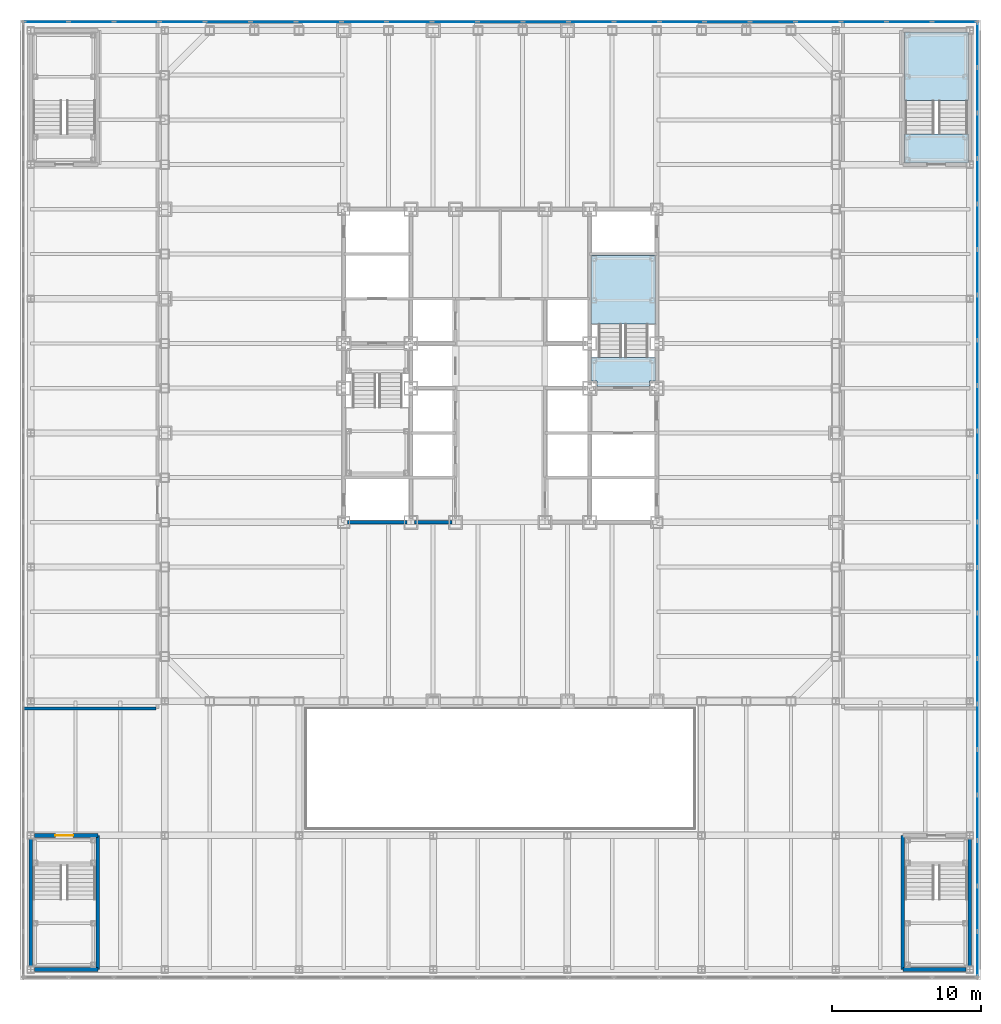
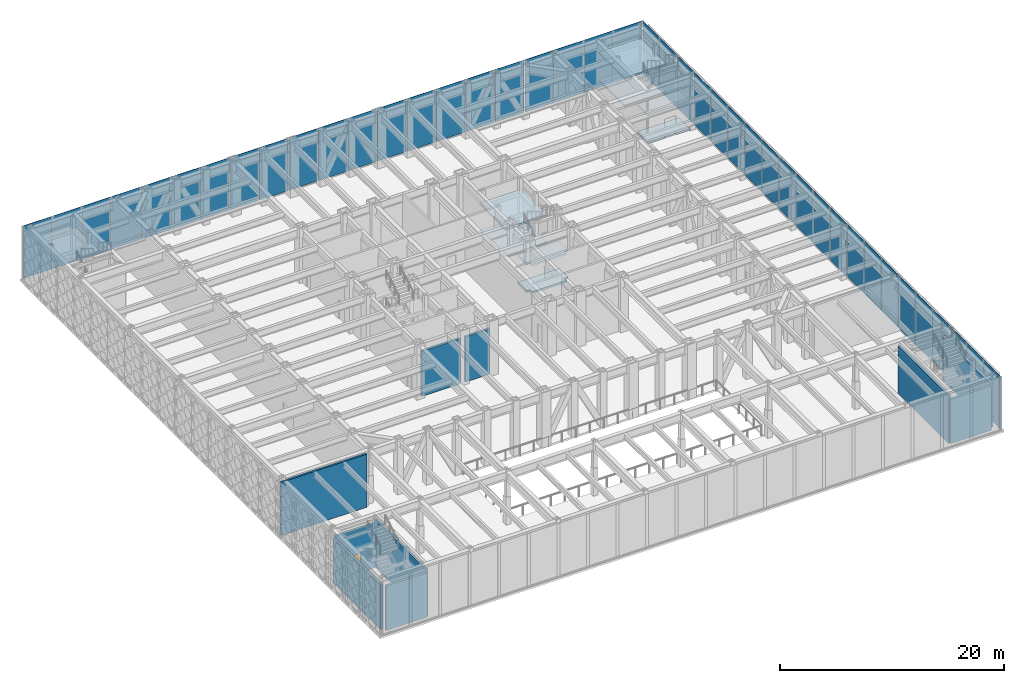
# One storey, part 14 of 32: 42 plates, 10 walls, 8 slabs, 1 door, 1 opening, 4 elements without a shape of their own.
"""IFC4 building model written with IfcOpenShell, lengths in metres."""

from ifc_helpers import new_model, si_unit, direction, frame, frame_2d, origin, origin_2d, place, context, subcontext, project, spatial, polyline, rectangle, outline, extrude, material, layer, layer_set, type_object, element, fill, aggregate, save


model = new_model("IFC4")

# Units and contexts
model_context = context("Model", 3, precision=1e-05, world=origin(), true_north=direction((0.0, 1.0)))
body_context = subcontext(model_context, "Body", "Model", "MODEL_VIEW")
ifc_project = project(units=[si_unit("LENGTHUNIT", "METRE"), si_unit("AREAUNIT", "SQUARE_METRE"), si_unit("VOLUMEUNIT", "CUBIC_METRE"), si_unit("PLANEANGLEUNIT", "RADIAN"), si_unit("MASSUNIT", "GRAM", prefix="KILO")], contexts=[model_context])

# Site, building, storey
site_placement = place(None, origin())
site = spatial("IfcSite", under=ifc_project, at=site_placement, CompositionType="ELEMENT")
building_placement = place(site_placement, origin())
building = spatial("IfcBuilding", under=site, at=building_placement, Name="Chuquiago Exchange Tower", CompositionType="ELEMENT")
storey_placement = place(building_placement, frame((0.0, 0.0, 13.5)))
storey = spatial("IfcBuildingStorey", under=building, at=storey_placement, Name="L02", CompositionType="ELEMENT", Elevation=13.5)

# Curtain wall, plates
ifc_material_1 = material(Name="Aluminium curtain wall system", Category="aluminium")
ifc_layer_1 = layer(ifc_material_1, 0.300048828125)
ifc_layer_set_1 = layer_set([ifc_layer_1], Name="CW4 podium curtain wall")
curtain_wall_type = type_object("IfcCurtainWallType", Name="CW4 podium curtain wall", PredefinedType="NOTDEFINED", material=ifc_layer_set_1)
curtain_wall_1_placement = place(storey_placement, origin())
curtain_wall_1 = element("IfcCurtainWall", 1, at=curtain_wall_1_placement, inside=storey, type_object=curtain_wall_type, Name="CW4 curtain wall L02", PredefinedType="NOTDEFINED")
ifc_material_2 = material(Name="Glass, insulating unit", Category="glass")
ifc_layer_2 = layer(ifc_material_2, 0.035888671875)
ifc_layer_set_2 = layer_set([ifc_layer_2], Name="CW4-P panel 36")
plate_type_1 = type_object("IfcPlateType", Name="CW4-P panel 36", PredefinedType="CURTAIN_PANEL", material=ifc_layer_set_2)
plate_1_placement = place(storey_placement, frame((54.5, -16.95556640625, 0.074951171875), z_axis=(0.0, 0.0, 1.0), x_axis=(0.0, 1.0, 0.0)))
plate_1 = element("IfcPlate", 2, at=plate_1_placement, type_object=plate_type_1, Name="CW4 panel 1.1", PredefinedType="CURTAIN_PANEL", context=body_context, shape_type="SweptSolid", body=[
    extrude(rectangle(XDim=2.938720703125, YDim=0.035888671875, at=origin_2d()), origin(), (0.0, 0.0, 1.0), 5.72509765625),
])
plate_2_placement = place(storey_placement, frame((54.5, -13.923095703125, 0.074951171875), z_axis=(0.0, 0.0, 1.0), x_axis=(0.0, 1.0, 0.0)))
plate_2 = element("IfcPlate", 3, at=plate_2_placement, type_object=plate_type_1, Name="CW4 panel 2.1", PredefinedType="CURTAIN_PANEL", context=body_context, shape_type="SweptSolid", body=[
    extrude(rectangle(XDim=2.97607421875, YDim=0.035888671875, at=origin_2d()), origin(), (0.0, 0.0, 1.0), 5.72509765625),
])
plate_3_placement = place(storey_placement, frame((54.5, -10.8720703125, 0.074951171875), z_axis=(0.0, 0.0, 1.0), x_axis=(0.0, 1.0, 0.0)))
plate_3 = element("IfcPlate", 4, at=plate_3_placement, type_object=plate_type_1, Name="CW4 panel 3.1", PredefinedType="CURTAIN_PANEL", context=body_context, shape_type="SweptSolid", body=[
    extrude(rectangle(XDim=2.97607421875, YDim=0.035888671875, at=origin_2d()), origin(), (0.0, 0.0, 1.0), 5.72509765625),
])
plate_4_placement = place(storey_placement, frame((54.5, -7.82080078125, 0.074951171875), z_axis=(0.0, 0.0, 1.0), x_axis=(0.0, 1.0, 0.0)))
plate_4 = element("IfcPlate", 5, at=plate_4_placement, type_object=plate_type_1, Name="CW4 panel 4.1", PredefinedType="CURTAIN_PANEL", context=body_context, shape_type="SweptSolid", body=[
    extrude(rectangle(XDim=2.97607421875, YDim=0.035888671875, at=origin_2d()), origin(), (0.0, 0.0, 1.0), 5.72509765625),
])
plate_5_placement = place(storey_placement, frame((54.5, -4.76953125, 0.074951171875), z_axis=(0.0, 0.0, 1.0), x_axis=(0.0, 1.0, 0.0)))
plate_5 = element("IfcPlate", 6, at=plate_5_placement, type_object=plate_type_1, Name="CW4 panel 5.1", PredefinedType="CURTAIN_PANEL", context=body_context, shape_type="SweptSolid", body=[
    extrude(rectangle(XDim=2.97607421875, YDim=0.035888671875, at=origin_2d()), origin(), (0.0, 0.0, 1.0), 5.72509765625),
])
plate_6_placement = place(storey_placement, frame((54.5, -1.718505859375, 0.074951171875), z_axis=(0.0, 0.0, 1.0), x_axis=(0.0, 1.0, 0.0)))
plate_6 = element("IfcPlate", 7, at=plate_6_placement, type_object=plate_type_1, Name="CW4 panel 6.1", PredefinedType="CURTAIN_PANEL", context=body_context, shape_type="SweptSolid", body=[
    extrude(rectangle(XDim=2.97607421875, YDim=0.035888671875, at=origin_2d()), origin(), (0.0, 0.0, 1.0), 5.72509765625),
])
plate_7_placement = place(storey_placement, frame((54.5, 1.332763671875, 0.074951171875), z_axis=(0.0, 0.0, 1.0), x_axis=(0.0, 1.0, 0.0)))
plate_7 = element("IfcPlate", 8, at=plate_7_placement, type_object=plate_type_1, Name="CW4 panel 7.1", PredefinedType="CURTAIN_PANEL", context=body_context, shape_type="SweptSolid", body=[
    extrude(rectangle(XDim=2.97607421875, YDim=0.035888671875, at=origin_2d()), origin(), (0.0, 0.0, 1.0), 5.72509765625),
])
plate_8_placement = place(storey_placement, frame((54.5, 4.384033203125, 0.074951171875), z_axis=(0.0, 0.0, 1.0), x_axis=(0.0, 1.0, 0.0)))
plate_8 = element("IfcPlate", 9, at=plate_8_placement, type_object=plate_type_1, Name="CW4 panel 8.1", PredefinedType="CURTAIN_PANEL", context=body_context, shape_type="SweptSolid", body=[
    extrude(rectangle(XDim=2.97607421875, YDim=0.035888671875, at=origin_2d()), origin(), (0.0, 0.0, 1.0), 5.72509765625),
])
plate_9_placement = place(storey_placement, frame((54.5, 7.43505859375, 0.074951171875), z_axis=(0.0, 0.0, 1.0), x_axis=(0.0, 1.0, 0.0)))
plate_9 = element("IfcPlate", 10, at=plate_9_placement, type_object=plate_type_1, Name="CW4 panel 9.1", PredefinedType="CURTAIN_PANEL", context=body_context, shape_type="SweptSolid", body=[
    extrude(rectangle(XDim=2.97607421875, YDim=0.035888671875, at=origin_2d()), origin(), (0.0, 0.0, 1.0), 5.72509765625),
])
plate_10_placement = place(storey_placement, frame((54.5, 10.486328125, 0.074951171875), z_axis=(0.0, 0.0, 1.0), x_axis=(0.0, 1.0, 0.0)))
plate_10 = element("IfcPlate", 11, at=plate_10_placement, type_object=plate_type_1, Name="CW4 panel 10.1", PredefinedType="CURTAIN_PANEL", context=body_context, shape_type="SweptSolid", body=[
    extrude(rectangle(XDim=2.97607421875, YDim=0.035888671875, at=origin_2d()), origin(), (0.0, 0.0, 1.0), 5.72509765625),
])
plate_11_placement = place(storey_placement, frame((54.5, 13.53759765625, 0.074951171875), z_axis=(0.0, 0.0, 1.0), x_axis=(0.0, 1.0, 0.0)))
plate_11 = element("IfcPlate", 12, at=plate_11_placement, type_object=plate_type_1, Name="CW4 panel 11.1", PredefinedType="CURTAIN_PANEL", context=body_context, shape_type="SweptSolid", body=[
    extrude(rectangle(XDim=2.97607421875, YDim=0.035888671875, at=origin_2d()), origin(), (0.0, 0.0, 1.0), 5.72509765625),
])
plate_12_placement = place(storey_placement, frame((54.5, 16.588623046875, 0.074951171875), z_axis=(0.0, 0.0, 1.0), x_axis=(0.0, 1.0, 0.0)))
plate_12 = element("IfcPlate", 13, at=plate_12_placement, type_object=plate_type_1, Name="CW4 panel 12.1", PredefinedType="CURTAIN_PANEL", context=body_context, shape_type="SweptSolid", body=[
    extrude(rectangle(XDim=2.97607421875, YDim=0.035888671875, at=origin_2d()), origin(), (0.0, 0.0, 1.0), 5.72509765625),
])
plate_13_placement = place(storey_placement, frame((54.5, 19.639892578125, 0.074951171875), z_axis=(0.0, 0.0, 1.0), x_axis=(0.0, 1.0, 0.0)))
plate_13 = element("IfcPlate", 14, at=plate_13_placement, type_object=plate_type_1, Name="CW4 panel 13.1", PredefinedType="CURTAIN_PANEL", context=body_context, shape_type="SweptSolid", body=[
    extrude(rectangle(XDim=2.97607421875, YDim=0.035888671875, at=origin_2d()), origin(), (0.0, 0.0, 1.0), 5.72509765625),
])
plate_14_placement = place(storey_placement, frame((54.5, 22.691162109375, 0.074951171875), z_axis=(0.0, 0.0, 1.0), x_axis=(0.0, 1.0, 0.0)))
plate_14 = element("IfcPlate", 15, at=plate_14_placement, type_object=plate_type_1, Name="CW4 panel 14.1", PredefinedType="CURTAIN_PANEL", context=body_context, shape_type="SweptSolid", body=[
    extrude(rectangle(XDim=2.97607421875, YDim=0.035888671875, at=origin_2d()), origin(), (0.0, 0.0, 1.0), 5.72509765625),
])
plate_15_placement = place(storey_placement, frame((54.5, 25.7421875, 0.074951171875), z_axis=(0.0, 0.0, 1.0), x_axis=(0.0, 1.0, 0.0)))
plate_15 = element("IfcPlate", 16, at=plate_15_placement, type_object=plate_type_1, Name="CW4 panel 15.1", PredefinedType="CURTAIN_PANEL", context=body_context, shape_type="SweptSolid", body=[
    extrude(rectangle(XDim=2.97607421875, YDim=0.035888671875, at=origin_2d()), origin(), (0.0, 0.0, 1.0), 5.72509765625),
])
plate_16_placement = place(storey_placement, frame((54.5, 28.79345703125, 0.074951171875), z_axis=(0.0, 0.0, 1.0), x_axis=(0.0, 1.0, 0.0)))
plate_16 = element("IfcPlate", 17, at=plate_16_placement, type_object=plate_type_1, Name="CW4 panel 16.1", PredefinedType="CURTAIN_PANEL", context=body_context, shape_type="SweptSolid", body=[
    extrude(rectangle(XDim=2.97607421875, YDim=0.035888671875, at=origin_2d()), origin(), (0.0, 0.0, 1.0), 5.72509765625),
])
plate_17_placement = place(storey_placement, frame((54.5, 31.8447265625, 0.074951171875), z_axis=(0.0, 0.0, 1.0), x_axis=(0.0, 1.0, 0.0)))
plate_17 = element("IfcPlate", 18, at=plate_17_placement, type_object=plate_type_1, Name="CW4 panel 17.1", PredefinedType="CURTAIN_PANEL", context=body_context, shape_type="SweptSolid", body=[
    extrude(rectangle(XDim=2.97607421875, YDim=0.035888671875, at=origin_2d()), origin(), (0.0, 0.0, 1.0), 5.72509765625),
])
plate_18_placement = place(storey_placement, frame((54.5, 34.895751953125, 0.074951171875), z_axis=(0.0, 0.0, 1.0), x_axis=(0.0, 1.0, 0.0)))
plate_18 = element("IfcPlate", 19, at=plate_18_placement, type_object=plate_type_1, Name="CW4 panel 18.1", PredefinedType="CURTAIN_PANEL", context=body_context, shape_type="SweptSolid", body=[
    extrude(rectangle(XDim=2.97607421875, YDim=0.035888671875, at=origin_2d()), origin(), (0.0, 0.0, 1.0), 5.72509765625),
])
plate_19_placement = place(storey_placement, frame((54.5, 37.947021484375, 0.074951171875), z_axis=(0.0, 0.0, 1.0), x_axis=(0.0, 1.0, 0.0)))
plate_19 = element("IfcPlate", 20, at=plate_19_placement, type_object=plate_type_1, Name="CW4 panel 19.1", PredefinedType="CURTAIN_PANEL", context=body_context, shape_type="SweptSolid", body=[
    extrude(rectangle(XDim=2.97607421875, YDim=0.035888671875, at=origin_2d()), origin(), (0.0, 0.0, 1.0), 5.72509765625),
])
plate_20_placement = place(storey_placement, frame((54.5, 40.998291015625, 0.074951171875), z_axis=(0.0, 0.0, 1.0), x_axis=(0.0, 1.0, 0.0)))
plate_20 = element("IfcPlate", 21, at=plate_20_placement, type_object=plate_type_1, Name="CW4 panel 20.1", PredefinedType="CURTAIN_PANEL", context=body_context, shape_type="SweptSolid", body=[
    extrude(rectangle(XDim=2.97607421875, YDim=0.035888671875, at=origin_2d()), origin(), (0.0, 0.0, 1.0), 5.72509765625),
])
plate_21_placement = place(storey_placement, frame((54.5, 44.03076171875, 0.074951171875), z_axis=(0.0, 0.0, 1.0), x_axis=(0.0, 1.0, 0.0)))
plate_21 = element("IfcPlate", 22, at=plate_21_placement, type_object=plate_type_1, Name="CW4 panel 21.1", PredefinedType="CURTAIN_PANEL", context=body_context, shape_type="SweptSolid", body=[
    extrude(rectangle(XDim=2.938720703125, YDim=0.035888671875, at=origin_2d()), origin(), (0.0, 0.0, 1.0), 5.72509765625),
])
aggregate(curtain_wall_1, [plate_1, plate_2, plate_3, plate_4, plate_5, plate_6, plate_7, plate_8, plate_9, plate_10, plate_11, plate_12, plate_13, plate_14, plate_15, plate_16, plate_17, plate_18, plate_19, plate_20, plate_21])

curtain_wall_2_placement = place(storey_placement, origin())
curtain_wall_2 = element("IfcCurtainWall", 23, at=curtain_wall_2_placement, inside=storey, type_object=curtain_wall_type, Name="CW4 curtain wall L02", PredefinedType="NOTDEFINED")
plate_22_placement = place(storey_placement, frame((52.95751953125, 45.574951171875, 0.074951171875), z_axis=(0.0, 0.0, 1.0), x_axis=(-1.0, 0.0, 0.0)))
plate_22 = element("IfcPlate", 24, at=plate_22_placement, type_object=plate_type_1, Name="CW4 panel 1.1", PredefinedType="CURTAIN_PANEL", context=body_context, shape_type="SweptSolid", body=[
    extrude(rectangle(XDim=2.93505859375, YDim=0.035888671875, at=origin_2d()), origin(), (0.0, 0.0, 1.0), 5.72509765625),
])
plate_23_placement = place(storey_placement, frame((49.928466796875, 45.574951171875, 0.074951171875), z_axis=(0.0, 0.0, 1.0), x_axis=(-1.0, 0.0, 0.0)))
plate_23 = element("IfcPlate", 25, at=plate_23_placement, type_object=plate_type_1, Name="CW4 panel 2.1", PredefinedType="CURTAIN_PANEL", context=body_context, shape_type="SweptSolid", body=[
    extrude(rectangle(XDim=2.97265625, YDim=0.035888671875, at=origin_2d()), origin(), (0.0, 0.0, 1.0), 5.72509765625),
])
plate_24_placement = place(storey_placement, frame((46.880859375, 45.574951171875, 0.074951171875), z_axis=(0.0, 0.0, 1.0), x_axis=(-1.0, 0.0, 0.0)))
plate_24 = element("IfcPlate", 26, at=plate_24_placement, type_object=plate_type_1, Name="CW4 panel 3.1", PredefinedType="CURTAIN_PANEL", context=body_context, shape_type="SweptSolid", body=[
    extrude(rectangle(XDim=2.97265625, YDim=0.035888671875, at=origin_2d()), origin(), (0.0, 0.0, 1.0), 5.72509765625),
])
plate_25_placement = place(storey_placement, frame((43.833251953125, 45.574951171875, 0.074951171875), z_axis=(0.0, 0.0, 1.0), x_axis=(-1.0, 0.0, 0.0)))
plate_25 = element("IfcPlate", 27, at=plate_25_placement, type_object=plate_type_1, Name="CW4 panel 4.1", PredefinedType="CURTAIN_PANEL", context=body_context, shape_type="SweptSolid", body=[
    extrude(rectangle(XDim=2.97265625, YDim=0.035888671875, at=origin_2d()), origin(), (0.0, 0.0, 1.0), 5.72509765625),
])
plate_26_placement = place(storey_placement, frame((31.642822265625, 45.574951171875, 0.074951171875), z_axis=(0.0, 0.0, 1.0), x_axis=(-1.0, 0.0, 0.0)))
plate_26 = element("IfcPlate", 28, at=plate_26_placement, type_object=plate_type_1, Name="CW4 panel 8.1", PredefinedType="CURTAIN_PANEL", context=body_context, shape_type="SweptSolid", body=[
    extrude(rectangle(XDim=2.97265625, YDim=0.035888671875, at=origin_2d()), origin(), (0.0, 0.0, 1.0), 5.72509765625),
])
plate_27_placement = place(storey_placement, frame((28.59521484375, 45.574951171875, 0.074951171875), z_axis=(0.0, 0.0, 1.0), x_axis=(-1.0, 0.0, 0.0)))
plate_27 = element("IfcPlate", 29, at=plate_27_placement, type_object=plate_type_1, Name="CW4 panel 9.1", PredefinedType="CURTAIN_PANEL", context=body_context, shape_type="SweptSolid", body=[
    extrude(rectangle(XDim=2.97265625, YDim=0.035888671875, at=origin_2d()), origin(), (0.0, 0.0, 1.0), 5.72509765625),
])
plate_28_placement = place(storey_placement, frame((19.452392578125, 45.574951171875, 0.074951171875), z_axis=(0.0, 0.0, 1.0), x_axis=(-1.0, 0.0, 0.0)))
plate_28 = element("IfcPlate", 30, at=plate_28_placement, type_object=plate_type_1, Name="CW4 panel 12.1", PredefinedType="CURTAIN_PANEL", context=body_context, shape_type="SweptSolid", body=[
    extrude(rectangle(XDim=2.97265625, YDim=0.035888671875, at=origin_2d()), origin(), (0.0, 0.0, 1.0), 5.72509765625),
])
plate_29_placement = place(storey_placement, frame((16.40478515625, 45.574951171875, 0.074951171875), z_axis=(0.0, 0.0, 1.0), x_axis=(-1.0, 0.0, 0.0)))
plate_29 = element("IfcPlate", 31, at=plate_29_placement, type_object=plate_type_1, Name="CW4 panel 13.1", PredefinedType="CURTAIN_PANEL", context=body_context, shape_type="SweptSolid", body=[
    extrude(rectangle(XDim=2.97265625, YDim=0.035888671875, at=origin_2d()), origin(), (0.0, 0.0, 1.0), 5.72509765625),
])
plate_30_placement = place(storey_placement, frame((13.357177734375, 45.574951171875, 0.074951171875), z_axis=(0.0, 0.0, 1.0), x_axis=(-1.0, 0.0, 0.0)))
plate_30 = element("IfcPlate", 32, at=plate_30_placement, type_object=plate_type_1, Name="CW4 panel 14.1", PredefinedType="CURTAIN_PANEL", context=body_context, shape_type="SweptSolid", body=[
    extrude(rectangle(XDim=2.97265625, YDim=0.035888671875, at=origin_2d()), origin(), (0.0, 0.0, 1.0), 5.72509765625),
])
plate_31_placement = place(storey_placement, frame((1.166748046875, 45.574951171875, 0.074951171875), z_axis=(0.0, 0.0, 1.0), x_axis=(-1.0, 0.0, 0.0)))
plate_31 = element("IfcPlate", 33, at=plate_31_placement, type_object=plate_type_1, Name="CW4 panel 18.1", PredefinedType="CURTAIN_PANEL", context=body_context, shape_type="SweptSolid", body=[
    extrude(rectangle(XDim=2.97265625, YDim=0.035888671875, at=origin_2d()), origin(), (0.0, 0.0, 1.0), 5.72509765625),
])
plate_32_placement = place(storey_placement, frame((-1.880859375, 45.574951171875, 0.074951171875), z_axis=(0.0, 0.0, 1.0), x_axis=(-1.0, 0.0, 0.0)))
plate_32 = element("IfcPlate", 34, at=plate_32_placement, type_object=plate_type_1, Name="CW4 panel 19.1", PredefinedType="CURTAIN_PANEL", context=body_context, shape_type="SweptSolid", body=[
    extrude(rectangle(XDim=2.97265625, YDim=0.035888671875, at=origin_2d()), origin(), (0.0, 0.0, 1.0), 5.72509765625),
])
plate_33_placement = place(storey_placement, frame((-4.928466796875, 45.574951171875, 0.074951171875), z_axis=(0.0, 0.0, 1.0), x_axis=(-1.0, 0.0, 0.0)))
plate_33 = element("IfcPlate", 35, at=plate_33_placement, type_object=plate_type_1, Name="CW4 panel 20.1", PredefinedType="CURTAIN_PANEL", context=body_context, shape_type="SweptSolid", body=[
    extrude(rectangle(XDim=2.97265625, YDim=0.035888671875, at=origin_2d()), origin(), (0.0, 0.0, 1.0), 5.72509765625),
])
plate_34_placement = place(storey_placement, frame((-7.95751953125, 45.574951171875, 0.074951171875), z_axis=(0.0, 0.0, 1.0), x_axis=(-1.0, 0.0, 0.0)))
plate_34 = element("IfcPlate", 36, at=plate_34_placement, type_object=plate_type_1, Name="CW4 panel 21.1", PredefinedType="CURTAIN_PANEL", context=body_context, shape_type="SweptSolid", body=[
    extrude(rectangle(XDim=2.93505859375, YDim=0.035888671875, at=origin_2d()), origin(), (0.0, 0.0, 1.0), 5.72509765625),
])
ifc_material_3 = material(Name="Insulated spandrel panel, pale anodised aluminium", Category="aluminium")
ifc_layer_3 = layer(ifc_material_3, 0.035888671875)
ifc_layer_set_3 = layer_set([ifc_layer_3], Name="CW4-P spandrel panel 36")
plate_type_2 = type_object("IfcPlateType", Name="CW4-P spandrel panel 36", PredefinedType="CURTAIN_PANEL", material=ifc_layer_set_3)
plate_35_placement = place(storey_placement, frame((40.78564453125, 45.574951171875, 0.074951171875), z_axis=(0.0, 0.0, 1.0), x_axis=(-1.0, 0.0, 0.0)))
plate_35 = element("IfcPlate", 37, at=plate_35_placement, type_object=plate_type_2, Name="CW4 panel 5.1", PredefinedType="CURTAIN_PANEL", context=body_context, shape_type="SweptSolid", body=[
    extrude(rectangle(XDim=2.97265625, YDim=0.035888671875, at=origin_2d()), origin(), (0.0, 0.0, 1.0), 5.72509765625),
])
plate_36_placement = place(storey_placement, frame((37.738037109375, 45.574951171875, 0.074951171875), z_axis=(0.0, 0.0, 1.0), x_axis=(-1.0, 0.0, 0.0)))
plate_36 = element("IfcPlate", 38, at=plate_36_placement, type_object=plate_type_2, Name="CW4 panel 6.1", PredefinedType="CURTAIN_PANEL", context=body_context, shape_type="SweptSolid", body=[
    extrude(rectangle(XDim=2.97265625, YDim=0.035888671875, at=origin_2d()), origin(), (0.0, 0.0, 1.0), 5.72509765625),
])
plate_37_placement = place(storey_placement, frame((34.6904296875, 45.574951171875, 0.074951171875), z_axis=(0.0, 0.0, 1.0), x_axis=(-1.0, 0.0, 0.0)))
plate_37 = element("IfcPlate", 39, at=plate_37_placement, type_object=plate_type_2, Name="CW4 panel 7.1", PredefinedType="CURTAIN_PANEL", context=body_context, shape_type="SweptSolid", body=[
    extrude(rectangle(XDim=2.97265625, YDim=0.035888671875, at=origin_2d()), origin(), (0.0, 0.0, 1.0), 5.72509765625),
])
plate_38_placement = place(storey_placement, frame((25.547607421875, 45.574951171875, 0.074951171875), z_axis=(0.0, 0.0, 1.0), x_axis=(-1.0, 0.0, 0.0)))
plate_38 = element("IfcPlate", 40, at=plate_38_placement, type_object=plate_type_2, Name="CW4 panel 10.1", PredefinedType="CURTAIN_PANEL", context=body_context, shape_type="SweptSolid", body=[
    extrude(rectangle(XDim=2.97265625, YDim=0.035888671875, at=origin_2d()), origin(), (0.0, 0.0, 1.0), 5.72509765625),
])
plate_39_placement = place(storey_placement, frame((22.5, 45.574951171875, 0.074951171875), z_axis=(0.0, 0.0, 1.0), x_axis=(-1.0, 0.0, 0.0)))
plate_39 = element("IfcPlate", 41, at=plate_39_placement, type_object=plate_type_2, Name="CW4 panel 11.1", PredefinedType="CURTAIN_PANEL", context=body_context, shape_type="SweptSolid", body=[
    extrude(rectangle(XDim=2.97265625, YDim=0.035888671875, at=origin_2d()), origin(), (0.0, 0.0, 1.0), 5.72509765625),
])
plate_40_placement = place(storey_placement, frame((10.3095703125, 45.574951171875, 0.074951171875), z_axis=(0.0, 0.0, 1.0), x_axis=(-1.0, 0.0, 0.0)))
plate_40 = element("IfcPlate", 42, at=plate_40_placement, type_object=plate_type_2, Name="CW4 panel 15.1", PredefinedType="CURTAIN_PANEL", context=body_context, shape_type="SweptSolid", body=[
    extrude(rectangle(XDim=2.97265625, YDim=0.035888671875, at=origin_2d()), origin(), (0.0, 0.0, 1.0), 5.72509765625),
])
plate_41_placement = place(storey_placement, frame((7.261962890625, 45.574951171875, 0.074951171875), z_axis=(0.0, 0.0, 1.0), x_axis=(-1.0, 0.0, 0.0)))
plate_41 = element("IfcPlate", 43, at=plate_41_placement, type_object=plate_type_2, Name="CW4 panel 16.1", PredefinedType="CURTAIN_PANEL", context=body_context, shape_type="SweptSolid", body=[
    extrude(rectangle(XDim=2.97265625, YDim=0.035888671875, at=origin_2d()), origin(), (0.0, 0.0, 1.0), 5.72509765625),
])
plate_42_placement = place(storey_placement, frame((4.21435546875, 45.574951171875, 0.074951171875), z_axis=(0.0, 0.0, 1.0), x_axis=(-1.0, 0.0, 0.0)))
plate_42 = element("IfcPlate", 44, at=plate_42_placement, type_object=plate_type_2, Name="CW4 panel 17.1", PredefinedType="CURTAIN_PANEL", context=body_context, shape_type="SweptSolid", body=[
    extrude(rectangle(XDim=2.97265625, YDim=0.035888671875, at=origin_2d()), origin(), (0.0, 0.0, 1.0), 5.72509765625),
])
aggregate(curtain_wall_2, [plate_22, plate_23, plate_24, plate_25, plate_35, plate_36, plate_37, plate_26, plate_27, plate_38, plate_39, plate_28, plate_29, plate_30, plate_40, plate_41, plate_42, plate_31, plate_32, plate_33, plate_34])

# Stair, slabs
ifc_material_4 = material(Name="Concrete C30/37, precast", Category="concrete")
stair_type_1 = type_object("IfcStairType", Name="ST2 double half-turn stair 6000", PredefinedType="DOUBLE_RETURN_STAIR", material=ifc_material_4)
stair_1_placement = place(storey_placement, origin())
stair_1 = element("IfcStair", 45, at=stair_1_placement, inside=storey, type_object=stair_type_1, Name="Stair ST2 L02", PredefinedType="DOUBLE_RETURN_STAIR")
ifc_material_5 = material(Name="Concrete C30/37, precast", Category="concrete")
ifc_layer_4 = layer(ifc_material_5, 0.199951171875)
ifc_layer_set_4 = layer_set([ifc_layer_4], Name="ST-L landing 200")
slab_type = type_object("IfcSlabType", Name="ST-L landing 200", PredefinedType="LANDING", material=ifc_layer_set_4)
slab_1_placement = place(storey_placement, frame((0.0, 0.0, -0.199951171875)))
slab_1 = element("IfcSlab", 46, at=slab_1_placement, type_object=slab_type, Name="ST2 landing 1", PredefinedType="LANDING", context=body_context, shape_type="SweptSolid", body=[
    extrude(outline(polyline([(32.52490234375, 21.47509765625), (32.52490234375, 21.10009765625), (28.97509765625, 21.10009765625), (28.97509765625, 21.47509765625), (28.60009765625, 21.47509765625), (28.60009765625, 23.050048828125), (32.89990234375, 23.050048828125), (32.89990234375, 21.47509765625), (32.52490234375, 21.47509765625)])), origin(), (0.0, 0.0, 1.0), 0.199951171875),
])
slab_2_placement = place(storey_placement, frame((0.0, 0.0, 1.300048828125)))
slab_2 = element("IfcSlab", 47, at=slab_2_placement, type_object=slab_type, Name="ST2 landing 2", PredefinedType="LANDING", context=body_context, shape_type="SweptSolid", body=[
    extrude(outline(polyline([(28.60009765625, 29.89990234375), (32.89990234375, 29.89990234375), (32.89990234375, 25.2900390625), (28.60009765625, 25.2900390625), (28.60009765625, 29.89990234375)])), origin(), (0.0, 0.0, 1.0), 0.199951171875),
])
slab_3_placement = place(storey_placement, frame((0.0, 0.0, 2.800048828125)))
slab_3 = element("IfcSlab", 48, at=slab_3_placement, type_object=slab_type, Name="ST2 landing 3", PredefinedType="LANDING", context=body_context, shape_type="SweptSolid", body=[
    extrude(outline(polyline([(32.52490234375, 21.47509765625), (32.52490234375, 21.10009765625), (28.97509765625, 21.10009765625), (28.97509765625, 21.47509765625), (28.60009765625, 21.47509765625), (28.60009765625, 23.050048828125), (32.89990234375, 23.050048828125), (32.89990234375, 21.47509765625), (32.52490234375, 21.47509765625)])), origin(), (0.0, 0.0, 1.0), 0.199951171875),
])
slab_4_placement = place(storey_placement, frame((0.0, 0.0, 4.300048828125)))
slab_4 = element("IfcSlab", 49, at=slab_4_placement, type_object=slab_type, Name="ST2 landing 4", PredefinedType="LANDING", context=body_context, shape_type="SweptSolid", body=[
    extrude(outline(polyline([(28.60009765625, 29.89990234375), (32.89990234375, 29.89990234375), (32.89990234375, 25.2900390625), (28.60009765625, 25.2900390625), (28.60009765625, 29.89990234375)])), origin(), (0.0, 0.0, 1.0), 0.199951171875),
])
aggregate(stair_1, [slab_1, slab_2, slab_3, slab_4])

ifc_material_6 = material(Name="Concrete C30/37, precast", Category="concrete")
stair_type_2 = type_object("IfcStairType", Name="PS4 double half-turn stair 6000", PredefinedType="DOUBLE_RETURN_STAIR", material=ifc_material_6)
stair_2_placement = place(storey_placement, origin())
stair_2 = element("IfcStair", 50, at=stair_2_placement, inside=storey, type_object=stair_type_2, Name="Stair PS4 L02", PredefinedType="DOUBLE_RETURN_STAIR")
slab_5_placement = place(storey_placement, frame((0.0, 0.0, -0.199951171875)))
slab_5 = element("IfcSlab", 51, at=slab_5_placement, type_object=slab_type, Name="PS4 landing 1", PredefinedType="LANDING", context=body_context, shape_type="SweptSolid", body=[
    extrude(outline(polyline([(53.89990234375, 36.10009765625), (53.89990234375, 38.050048828125), (49.60009765625, 38.050048828125), (49.60009765625, 36.10009765625), (53.89990234375, 36.10009765625)])), origin(), (0.0, 0.0, 1.0), 0.199951171875),
])
slab_6_placement = place(storey_placement, frame((0.0, 0.0, 1.300048828125)))
slab_6 = element("IfcSlab", 52, at=slab_6_placement, type_object=slab_type, Name="PS4 landing 2", PredefinedType="LANDING", context=body_context, shape_type="SweptSolid", body=[
    extrude(outline(polyline([(49.60009765625, 44.89990234375), (53.89990234375, 44.89990234375), (53.89990234375, 40.2900390625), (49.60009765625, 40.2900390625), (49.60009765625, 44.89990234375)])), origin(), (0.0, 0.0, 1.0), 0.199951171875),
])
slab_7_placement = place(storey_placement, frame((0.0, 0.0, 2.800048828125)))
slab_7 = element("IfcSlab", 53, at=slab_7_placement, type_object=slab_type, Name="PS4 landing 3", PredefinedType="LANDING", context=body_context, shape_type="SweptSolid", body=[
    extrude(outline(polyline([(49.60009765625, 38.050048828125), (53.89990234375, 38.050048828125), (53.89990234375, 36.10009765625), (49.60009765625, 36.10009765625), (49.60009765625, 38.050048828125)])), origin(), (0.0, 0.0, 1.0), 0.199951171875),
])
slab_8_placement = place(storey_placement, frame((0.0, 0.0, 4.300048828125)))
slab_8 = element("IfcSlab", 54, at=slab_8_placement, type_object=slab_type, Name="PS4 landing 4", PredefinedType="LANDING", context=body_context, shape_type="SweptSolid", body=[
    extrude(outline(polyline([(49.60009765625, 44.89990234375), (53.89990234375, 44.89990234375), (53.89990234375, 40.2900390625), (49.60009765625, 40.2900390625), (49.60009765625, 44.89990234375)])), origin(), (0.0, 0.0, 1.0), 0.199951171875),
])
aggregate(stair_2, [slab_5, slab_6, slab_7, slab_8])

# Walls
ifc_material_7 = material(Name="Concrete masonry, fully grouted", Category="masonry")
ifc_layer_5 = layer(ifc_material_7, 0.25)
ifc_layer_set_5 = layer_set([ifc_layer_5], Name="W1 core wall 250")
wall_type_1 = type_object("IfcWallType", Name="W1 core wall 250", PredefinedType="SOLIDWALL", material=ifc_layer_set_5)
wall_1_placement = place(storey_placement, frame((12.25, 12.0, 0.0), z_axis=(0.0, 0.0, 1.0), x_axis=(1.0, 0.0, 0.0)))
element("IfcWall", 55, at=wall_1_placement, inside=storey, type_object=wall_type_1, Name="CW-L02-01-0", PredefinedType="SOLIDWALL", context=body_context, shape_type="SweptSolid", body=[
    extrude(rectangle(XDim=4.0, YDim=0.25, at=frame_2d((2.0, 0.0))), origin(), (0.0, 0.0, 1.0), 4.94140625),
])
wall_2_placement = place(storey_placement, frame((16.75, 12.0, 0.0), z_axis=(0.0, 0.0, 1.0), x_axis=(1.0, 0.0, 0.0)))
element("IfcWall", 56, at=wall_2_placement, inside=storey, type_object=wall_type_1, Name="CW-L02-01-1", PredefinedType="SOLIDWALL", context=body_context, shape_type="SweptSolid", body=[
    extrude(rectangle(XDim=2.5, YDim=0.25, at=frame_2d((1.25, 0.0))), origin(), (0.0, 0.0, 1.0), 4.94140625),
])
ifc_material_8 = material(Name="Concrete masonry, fully grouted", Category="masonry")
ifc_layer_6 = layer(ifc_material_8, 0.25)
ifc_layer_set_6 = layer_set([ifc_layer_6], Name="W10 podium stair wall 250")
wall_type_2 = type_object("IfcWallType", Name="W10 podium stair wall 250", PredefinedType="SOLIDWALL", material=ifc_layer_set_6)
wall_3_placement = place(storey_placement, frame((-8.75, -18.0, 0.0), z_axis=(0.0, 0.0, 1.0), x_axis=(1.0, 0.0, 0.0)))
element("IfcWall", 57, at=wall_3_placement, inside=storey, type_object=wall_type_2, Name="PSW-L02-PS1-00", PredefinedType="SOLIDWALL", context=body_context, shape_type="SweptSolid", body=[
    extrude(rectangle(XDim=4.25, YDim=0.25, at=frame_2d((2.125, 0.0))), origin(), (0.0, 0.0, 1.0), 4.8525390625),
])
wall_4_placement = place(storey_placement, frame((-4.5, -18.0, 0.0), z_axis=(0.0, 0.0, 1.0), x_axis=(0.0, 1.0, 0.0)))
element("IfcWall", 58, at=wall_4_placement, inside=storey, type_object=wall_type_2, Name="PSW-L02-PS1-10", PredefinedType="SOLIDWALL", context=body_context, shape_type="SweptSolid", body=[
    extrude(rectangle(XDim=9.0, YDim=0.25, at=frame_2d((4.5, 0.0))), origin(), (0.0, 0.0, 1.0), 5.197998046875),
])

# Wall, opening, door
wall_5_placement = place(storey_placement, frame((-8.75, -9.0, 0.0), z_axis=(0.0, 0.0, 1.0), x_axis=(1.0, 0.0, 0.0)))
wall_5 = element("IfcWall", 59, at=wall_5_placement, inside=storey, type_object=wall_type_2, Name="PSW-L02-PS1-20", PredefinedType="SOLIDWALL", context=body_context, shape_type="SweptSolid", body=[
    extrude(rectangle(XDim=4.25, YDim=0.25, at=frame_2d((2.125, 0.0))), origin(), (0.0, 0.0, 1.0), 4.8525390625),
])
opening_placement = place(wall_5_placement, frame((1.39990234375, 0.0, 0.0)))
opening = element("IfcOpeningElement", 60, at=opening_placement, cuts=wall_5, Name="Opening L02-021", PredefinedType="OPENING", context=body_context, shape_type="SweptSolid", body=[
    extrude(rectangle(XDim=1.199951171875, YDim=2.10009765625, at=frame_2d((0.60009765625, 1.050048828125))), frame((0.0, 0.135009765625, 0.0), z_axis=(0.0, -1.0, 0.0), x_axis=(1.0, 0.0, 0.0)), (0.0, 0.0, 1.0), 0.27001953125),
])
ifc_material_9 = material(Name="Steel door, painted", Category="steel")
door_type = type_object("IfcDoorType", Name="D4 stair door 1200x2100", OperationType="SINGLE_SWING_LEFT", PredefinedType="DOOR", material=ifc_material_9)
door_placement = place(opening_placement, frame((1.199951171875, 0.0, 0.0), z_axis=(0.0, 0.0, 1.0), x_axis=(-1.0, 0.0, 0.0)))
door = element("IfcDoor", 61, at=door_placement, inside=storey, type_object=door_type, Name="Stair PS1 door", OperationType="SINGLE_SWING_LEFT", OverallHeight=2.10009765625, OverallWidth=1.199951171875, PredefinedType="DOOR", context=body_context, shape_type="SweptSolid", body=[
    extrude(rectangle(XDim=1.199951171875, YDim=2.10009765625, at=frame_2d((0.60009765625, 1.050048828125))), frame((0.0, 0.02490234375, 0.0), z_axis=(0.0, -1.0, 0.0), x_axis=(1.0, 0.0, 0.0)), (0.0, 0.0, 1.0), 0.050048828125),
])
fill(opening, door)

# Walls
wall_6_placement = place(storey_placement, frame((-9.0, -17.75, 0.0), z_axis=(0.0, 0.0, 1.0), x_axis=(0.0, 1.0, 0.0)))
element("IfcWall", 62, at=wall_6_placement, inside=storey, type_object=wall_type_2, Name="PSW-L02-PS1-30", PredefinedType="SOLIDWALL", context=body_context, shape_type="SweptSolid", body=[
    extrude(rectangle(XDim=8.5, YDim=0.25, at=frame_2d((4.25, 0.0))), origin(), (0.0, 0.0, 1.0), 4.8525390625),
])
wall_7_placement = place(storey_placement, frame((49.5, -18.0, 0.0), z_axis=(0.0, 0.0, 1.0), x_axis=(1.0, 0.0, 0.0)))
element("IfcWall", 63, at=wall_7_placement, inside=storey, type_object=wall_type_2, Name="PSW-L02-PS2-00", PredefinedType="SOLIDWALL", context=body_context, shape_type="SweptSolid", body=[
    extrude(rectangle(XDim=4.25, YDim=0.25, at=frame_2d((2.125, 0.0))), origin(), (0.0, 0.0, 1.0), 4.8525390625),
])
wall_8_placement = place(storey_placement, frame((54.0, -17.75, 0.0), z_axis=(0.0, 0.0, 1.0), x_axis=(0.0, 1.0, 0.0)))
element("IfcWall", 64, at=wall_8_placement, inside=storey, type_object=wall_type_2, Name="PSW-L02-PS2-10", PredefinedType="SOLIDWALL", context=body_context, shape_type="SweptSolid", body=[
    extrude(rectangle(XDim=8.5, YDim=0.25, at=frame_2d((4.25, 0.0))), origin(), (0.0, 0.0, 1.0), 4.8525390625),
])
wall_9_placement = place(storey_placement, frame((49.5, -18.0, 0.0), z_axis=(0.0, 0.0, 1.0), x_axis=(0.0, 1.0, 0.0)))
element("IfcWall", 65, at=wall_9_placement, inside=storey, type_object=wall_type_2, Name="PSW-L02-PS2-30", PredefinedType="SOLIDWALL", context=body_context, shape_type="SweptSolid", body=[
    extrude(rectangle(XDim=9.0, YDim=0.25, at=frame_2d((4.5, 0.0))), origin(), (0.0, 0.0, 1.0), 5.197998046875),
])
ifc_material_10 = material(Name="Gypsum board on steel studs, double layer", Category="steel")
ifc_layer_7 = layer(ifc_material_10, 0.199951171875)
ifc_layer_set_7 = layer_set([ifc_layer_7], Name="W6 wing partition 200")
wall_type_3 = type_object("IfcWallType", Name="W6 wing partition 200", PredefinedType="PARTITIONING", material=ifc_layer_set_7)
wall_10_placement = place(storey_placement, frame((-9.468017578125, -0.5, 0.0), z_axis=(0.0, 0.0, 1.0), x_axis=(1.0, 0.0, 0.0)))
element("IfcWall", 66, at=wall_10_placement, inside=storey, type_object=wall_type_3, Name="WW-L02-SW", PredefinedType="PARTITIONING", context=body_context, shape_type="SweptSolid", body=[
    extrude(rectangle(XDim=8.867919921875, YDim=0.199951171875, at=frame_2d((4.43408203125, 0.0))), origin(), (0.0, 0.0, 1.0), 5.800048828125),
])

save(model, "model.ifc")
